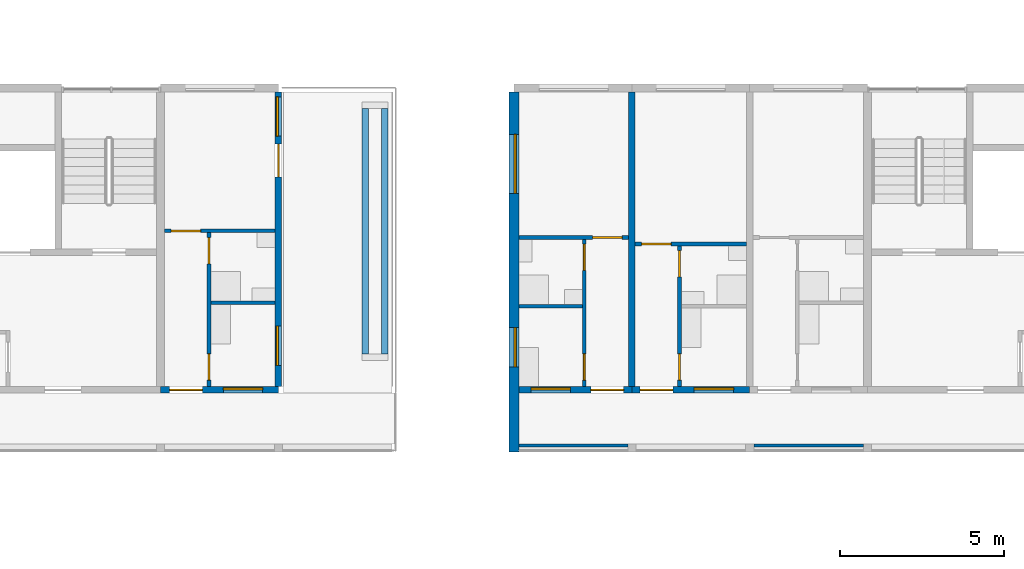
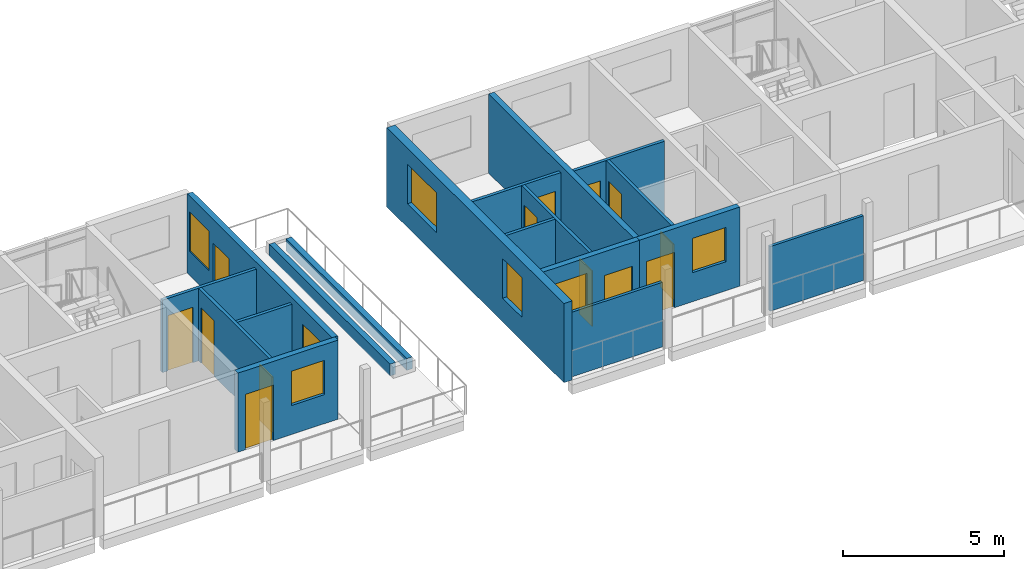
# One storey, part 36 of 94: 18 walls, 13 doors, 7 windows, 20 openings.
"""IFC4 building model written with IfcOpenShell, lengths in metres."""

from ifc_helpers import new_model, si_unit, direction, frame, frame_2d, origin, place, context, subcontext, project, spatial, rectangle, extrude, material, layer, layer_set, type_object, element, fill, save


model = new_model("IFC4")

# Units and contexts
model_context = context("Model", 3, precision=1e-05, world=origin(), true_north=direction((0.0, 1.0)))
body_context = subcontext(model_context, "Body", "Model", "MODEL_VIEW")
ifc_project = project(units=[si_unit("LENGTHUNIT", "METRE"), si_unit("AREAUNIT", "SQUARE_METRE"), si_unit("VOLUMEUNIT", "CUBIC_METRE"), si_unit("PLANEANGLEUNIT", "RADIAN"), si_unit("MASSUNIT", "GRAM", prefix="KILO")], contexts=[model_context])

# Site, building, storey
site_placement = place(None, origin())
site = spatial("IfcSite", under=ifc_project, at=site_placement, CompositionType="ELEMENT")
building_placement = place(site_placement, origin())
building = spatial("IfcBuilding", under=site, at=building_placement, Name="Ridgestep Commons", CompositionType="ELEMENT")
storey_placement = place(building_placement, frame((0.0, 0.0, 21.0)))
storey = spatial("IfcBuildingStorey", under=building, at=storey_placement, Name="L07", CompositionType="ELEMENT", Elevation=21.0)

# Wall
ifc_material_1 = material(Name="Precast concrete C40/50", Category="concrete")
ifc_layer_1 = layer(ifc_material_1, 0.199951171875)
ifc_layer_set_1 = layer_set([ifc_layer_1], Name="Cross wall 200")
wall_type_1 = type_object("IfcWallType", Name="Cross wall 200", PredefinedType="SHEAR", material=ifc_layer_set_1)
wall_1_placement = place(storey_placement, frame((66.0, 68.0, 0.0), z_axis=(0.0, 0.0, 1.0), x_axis=(0.0, 1.0, 0.0)))
element("IfcWall", 1, at=wall_1_placement, inside=storey, type_object=wall_type_1, Name="Cross wall B-07-0660", PredefinedType="SHEAR", context=body_context, shape_type="SweptSolid", body=[
    extrude(rectangle(XDim=9.0, YDim=0.199951171875, at=frame_2d((4.5, 0.0))), origin(), (0.0, 0.0, 1.0), 3.0),
])

# Wall, openings, windows, door
ifc_material_2 = material(Name="Precast concrete C40/50", Category="concrete")
ifc_layer_2 = layer(ifc_material_2, 0.199951171875)
ifc_layer_set_2 = layer_set([ifc_layer_2], Name="Exposed cross wall 200")
wall_type_2 = type_object("IfcWallType", Name="Exposed cross wall 200", PredefinedType="SHEAR", material=ifc_layer_set_2)
wall_2_placement = place(storey_placement, frame((55.199951171875, 68.0, 0.0), z_axis=(0.0, 0.0, 1.0), x_axis=(0.0, 1.0, 0.0)))
wall_2 = element("IfcWall", 2, at=wall_2_placement, inside=storey, type_object=wall_type_2, Name="Cross wall B-07-0552", PredefinedType="SHEAR", context=body_context, shape_type="SweptSolid", body=[
    extrude(rectangle(XDim=9.0, YDim=0.199951171875, at=frame_2d((4.5, 0.0))), origin(), (0.0, 0.0, 1.0), 3.0),
])
opening_1_placement = place(wall_2_placement, frame((0.64990234375, 0.0, 0.89990234375)))
opening_1 = element("IfcOpeningElement", 3, at=opening_1_placement, cuts=wall_2, Name="Opening W10", PredefinedType="OPENING", context=body_context, shape_type="SweptSolid", body=[
    extrude(rectangle(XDim=1.199951171875, YDim=1.5, at=frame_2d((0.60009765625, 0.75))), frame((0.0, 0.10986328125, 0.0), z_axis=(0.0, -1.0, 0.0), x_axis=(1.0, 0.0, 0.0)), (0.0, 0.0, 1.0), 0.219970703125),
])
opening_2_placement = place(wall_2_placement, frame((7.652587890625, 0.0, 0.89990234375)))
opening_2 = element("IfcOpeningElement", 4, at=opening_2_placement, cuts=wall_2, Name="Opening W10", PredefinedType="OPENING", context=body_context, shape_type="SweptSolid", body=[
    extrude(rectangle(XDim=1.199951171875, YDim=1.5, at=frame_2d((0.60009765625, 0.75))), frame((0.0, 0.10986328125, 0.0), z_axis=(0.0, -1.0, 0.0), x_axis=(1.0, 0.0, 0.0)), (0.0, 0.0, 1.0), 0.219970703125),
])
opening_3_placement = place(wall_2_placement, frame((6.405029296875, 0.0, 0.0)))
opening_3 = element("IfcOpeningElement", 5, at=opening_3_placement, cuts=wall_2, Name="Opening B3-07a/5", PredefinedType="OPENING", context=body_context, shape_type="SweptSolid", body=[
    extrude(rectangle(XDim=1.0, YDim=2.10009765625, at=frame_2d((0.5, 1.050048828125))), frame((0.0, 0.10986328125, 0.0), z_axis=(0.0, -1.0, 0.0), x_axis=(1.0, 0.0, 0.0)), (0.0, 0.0, 1.0), 0.219970703125),
])
ifc_material_3 = material(Name="Aluminium 6063-T6 and glass", Category="aluminium")
window_type_1 = type_object("IfcWindowType", Name="Flat window 1200 x 1500", PartitioningType="SINGLE_PANEL", PredefinedType="WINDOW", material=ifc_material_3)
window_1_placement = place(opening_1_placement, origin())
window_1 = element("IfcWindow", 6, at=window_1_placement, inside=storey, type_object=window_type_1, Name="Window B3-07a 3", OverallHeight=1.5, OverallWidth=1.199951171875, PartitioningType="SINGLE_PANEL", PredefinedType="WINDOW", context=body_context, shape_type="SweptSolid", body=[
    extrude(rectangle(XDim=1.199951171875, YDim=1.5, at=frame_2d((0.60009765625, 0.75))), frame((0.0, 0.06005859375, 0.0), z_axis=(0.0, -1.0, 0.0), x_axis=(1.0, 0.0, 0.0)), (0.0, 0.0, 1.0), 0.06005859375),
])
fill(opening_1, window_1)
window_2_placement = place(opening_2_placement, origin())
window_2 = element("IfcWindow", 7, at=window_2_placement, inside=storey, type_object=window_type_1, Name="Window B3-07a 4", OverallHeight=1.5, OverallWidth=1.199951171875, PartitioningType="SINGLE_PANEL", PredefinedType="WINDOW", context=body_context, shape_type="SweptSolid", body=[
    extrude(rectangle(XDim=1.199951171875, YDim=1.5, at=frame_2d((0.60009765625, 0.75))), frame((0.0, 0.06005859375, 0.0), z_axis=(0.0, -1.0, 0.0), x_axis=(1.0, 0.0, 0.0)), (0.0, 0.0, 1.0), 0.06005859375),
])
fill(opening_2, window_2)
ifc_material_4 = material(Name="Aluminium and glass", Category="aluminium")
door_type_1 = type_object("IfcDoorType", Name="Terrace door 1000 x 2100", OperationType="NOTDEFINED", PredefinedType="DOOR", material=ifc_material_4)
door_1_placement = place(opening_3_placement, origin())
door_1 = element("IfcDoor", 8, at=door_1_placement, inside=storey, type_object=door_type_1, Name="Terrace door B3-07a/5", OperationType="SINGLE_SWING_LEFT", OverallHeight=2.10009765625, OverallWidth=1.0, PredefinedType="DOOR", context=body_context, shape_type="SweptSolid", body=[
    extrude(rectangle(XDim=1.0, YDim=2.10009765625, at=frame_2d((0.5, 1.050048828125))), frame((0.0, 0.02490234375, 0.0), z_axis=(0.0, -1.0, 0.0), x_axis=(1.0, 0.0, 0.0)), (0.0, 0.0, 1.0), 0.050048828125),
])
fill(opening_3, door_1)

# Wall, openings, windows
ifc_material_5 = material(Name="Precast concrete C40/50", Category="concrete")
ifc_layer_3 = layer(ifc_material_5, 0.300048828125)
ifc_layer_set_3 = layer_set([ifc_layer_3], Name="Exposed division wall 300")
wall_type_3 = type_object("IfcWallType", Name="Exposed division wall 300", PredefinedType="SHEAR", material=ifc_layer_set_3)
wall_3_placement = place(storey_placement, frame((62.39990234375, 66.0, 0.0), z_axis=(0.0, 0.0, 1.0), x_axis=(0.0, 1.0, 0.0)))
wall_3 = element("IfcWall", 9, at=wall_3_placement, inside=storey, type_object=wall_type_3, Name="Cross wall B-07-0624", PredefinedType="SHEAR", context=body_context, shape_type="SweptSolid", body=[
    extrude(rectangle(XDim=11.0, YDim=0.300048828125, at=frame_2d((5.5, 0.0))), origin(), (0.0, 0.0, 1.0), 3.0),
])
opening_4_placement = place(wall_3_placement, frame((2.60009765625, 0.0, 0.89990234375)))
opening_4 = element("IfcOpeningElement", 10, at=opening_4_placement, cuts=wall_3, Name="Opening W10", PredefinedType="OPENING", context=body_context, shape_type="SweptSolid", body=[
    extrude(rectangle(XDim=1.199951171875, YDim=1.5, at=frame_2d((0.60009765625, 0.75))), frame((0.0, 0.159912109375, 0.0), z_axis=(0.0, -1.0, 0.0), x_axis=(1.0, 0.0, 0.0)), (0.0, 0.0, 1.0), 0.320068359375),
])
opening_5_placement = place(wall_3_placement, frame((7.905029296875, 0.0, 0.89990234375)))
opening_5 = element("IfcOpeningElement", 11, at=opening_5_placement, cuts=wall_3, Name="Opening W20", PredefinedType="OPENING", context=body_context, shape_type="SweptSolid", body=[
    extrude(rectangle(XDim=1.800048828125, YDim=1.5, at=frame_2d((0.89990234375, 0.75))), frame((0.0, 0.159912109375, 0.0), z_axis=(0.0, -1.0, 0.0), x_axis=(1.0, 0.0, 0.0)), (0.0, 0.0, 1.0), 0.320068359375),
])
window_3_placement = place(opening_4_placement, origin())
window_3 = element("IfcWindow", 12, at=window_3_placement, inside=storey, type_object=window_type_1, Name="Window B4-07a 3", OverallHeight=1.5, OverallWidth=1.199951171875, PartitioningType="SINGLE_PANEL", PredefinedType="WINDOW", context=body_context, shape_type="SweptSolid", body=[
    extrude(rectangle(XDim=1.199951171875, YDim=1.5, at=frame_2d((0.60009765625, 0.75))), frame((0.0, 0.0, 0.0), z_axis=(0.0, -1.0, 0.0), x_axis=(1.0, 0.0, 0.0)), (0.0, 0.0, 1.0), 0.06005859375),
])
fill(opening_4, window_3)
ifc_material_6 = material(Name="Aluminium 6063-T6 and glass", Category="aluminium")
window_type_2 = type_object("IfcWindowType", Name="Flat window 1800 x 1500", PartitioningType="DOUBLE_PANEL_VERTICAL", PredefinedType="WINDOW", material=ifc_material_6)
window_4_placement = place(opening_5_placement, origin())
window_4 = element("IfcWindow", 13, at=window_4_placement, inside=storey, type_object=window_type_2, Name="Window B4-07a 4", OverallHeight=1.5, OverallWidth=1.800048828125, PartitioningType="SINGLE_PANEL", PredefinedType="WINDOW", context=body_context, shape_type="SweptSolid", body=[
    extrude(rectangle(XDim=1.800048828125, YDim=1.5, at=frame_2d((0.89990234375, 0.75))), frame((0.0, 0.0, 0.0), z_axis=(0.0, -1.0, 0.0), x_axis=(1.0, 0.0, 0.0)), (0.0, 0.0, 1.0), 0.06005859375),
])
fill(opening_5, window_4)

# Wall, openings, doors
ifc_material_7 = material(Name="Common brick 110 mm", Category="masonry")
ifc_layer_4 = layer(ifc_material_7, 0.110107421875)
ifc_layer_set_4 = layer_set([ifc_layer_4], Name="Partition 110")
wall_type_4 = type_object("IfcWallType", Name="Partition 110", PredefinedType="PARTITIONING", material=ifc_layer_set_4)
wall_4_placement = place(storey_placement, frame((53.080078125, 68.0, 0.0), z_axis=(0.0, 0.0, 1.0), x_axis=(0.0, 1.0, 0.0)))
wall_4 = element("IfcWall", 14, at=wall_4_placement, inside=storey, type_object=wall_type_4, Name="Partition B3-07a", PredefinedType="PARTITIONING", context=body_context, shape_type="SweptSolid", body=[
    extrude(rectangle(XDim=4.699951171875, YDim=0.110107421875, at=frame_2d((2.35009765625, 0.0))), origin(), (0.0, 0.0, 1.0), 2.75),
])
opening_6_placement = place(wall_4_placement, frame((0.199951171875, 0.0, 0.0)))
opening_6 = element("IfcOpeningElement", 15, at=opening_6_placement, cuts=wall_4, Name="Opening B3-07a/2", PredefinedType="OPENING", context=body_context, shape_type="SweptSolid", body=[
    extrude(rectangle(XDim=0.800048828125, YDim=2.10009765625, at=frame_2d((0.39990234375, 1.050048828125))), frame((0.0, 0.06494140625, 0.0), z_axis=(0.0, -1.0, 0.0), x_axis=(1.0, 0.0, 0.0)), (0.0, 0.0, 1.0), 0.130126953125),
])
opening_7_placement = place(wall_4_placement, frame((3.75, 0.0, 0.0)))
opening_7 = element("IfcOpeningElement", 16, at=opening_7_placement, cuts=wall_4, Name="Opening B3-07a/3", PredefinedType="OPENING", context=body_context, shape_type="SweptSolid", body=[
    extrude(rectangle(XDim=0.800048828125, YDim=2.10009765625, at=frame_2d((0.39990234375, 1.050048828125))), frame((0.0, 0.06494140625, 0.0), z_axis=(0.0, -1.0, 0.0), x_axis=(1.0, 0.0, 0.0)), (0.0, 0.0, 1.0), 0.130126953125),
])
ifc_material_8 = material(Name="Timber door leaf", Category="wood")
door_type_2 = type_object("IfcDoorType", Name="Internal door 800 x 2100", OperationType="NOTDEFINED", PredefinedType="DOOR", material=ifc_material_8)
door_2_placement = place(opening_6_placement, origin())
door_2 = element("IfcDoor", 17, at=door_2_placement, inside=storey, type_object=door_type_2, Name="Internal door B3-07a/2", OperationType="SINGLE_SWING_RIGHT", OverallHeight=2.10009765625, OverallWidth=0.800048828125, PredefinedType="DOOR", context=body_context, shape_type="SweptSolid", body=[
    extrude(rectangle(XDim=0.800048828125, YDim=2.10009765625, at=frame_2d((0.39990234375, 1.050048828125))), frame((0.0, 0.02490234375, 0.0), z_axis=(0.0, -1.0, 0.0), x_axis=(1.0, 0.0, 0.0)), (0.0, 0.0, 1.0), 0.050048828125),
])
fill(opening_6, door_2)
door_3_placement = place(opening_7_placement, origin())
door_3 = element("IfcDoor", 18, at=door_3_placement, inside=storey, type_object=door_type_2, Name="Internal door B3-07a/3", OperationType="SINGLE_SWING_LEFT", OverallHeight=2.10009765625, OverallWidth=0.800048828125, PredefinedType="DOOR", context=body_context, shape_type="SweptSolid", body=[
    extrude(rectangle(XDim=0.800048828125, YDim=2.10009765625, at=frame_2d((0.39990234375, 1.050048828125))), frame((0.0, 0.02490234375, 0.0), z_axis=(0.0, -1.0, 0.0), x_axis=(1.0, 0.0, 0.0)), (0.0, 0.0, 1.0), 0.050048828125),
])
fill(opening_7, door_3)

# Wall
wall_5_placement = place(storey_placement, frame((53.135009765625, 70.554931640625, 0.0), z_axis=(0.0, 0.0, 1.0), x_axis=(1.0, 0.0, 0.0)))
element("IfcWall", 19, at=wall_5_placement, inside=storey, type_object=wall_type_4, Name="Partition B3-07a", PredefinedType="PARTITIONING", context=body_context, shape_type="SweptSolid", body=[
    extrude(rectangle(XDim=1.965087890625, YDim=0.110107421875, at=frame_2d((0.982421875, 0.0))), origin(), (0.0, 0.0, 1.0), 2.75),
])

# Wall, opening, door
wall_6_placement = place(storey_placement, frame((51.72509765625, 72.7548828125, 0.0), z_axis=(0.0, 0.0, 1.0), x_axis=(1.0, 0.0, 0.0)))
wall_6 = element("IfcWall", 20, at=wall_6_placement, inside=storey, type_object=wall_type_4, Name="Partition B3-07a", PredefinedType="PARTITIONING", context=body_context, shape_type="SweptSolid", body=[
    extrude(rectangle(XDim=3.375, YDim=0.110107421875, at=frame_2d((1.6875, 0.0))), origin(), (0.0, 0.0, 1.0), 2.75),
])
opening_8_placement = place(wall_6_placement, frame((0.199951171875, 0.0, 0.0)))
opening_8 = element("IfcOpeningElement", 21, at=opening_8_placement, cuts=wall_6, Name="Opening B3-07a/4", PredefinedType="OPENING", context=body_context, shape_type="SweptSolid", body=[
    extrude(rectangle(XDim=0.89990234375, YDim=2.10009765625, at=frame_2d((0.449951171875, 1.050048828125))), frame((0.0, 0.06494140625, 0.0), z_axis=(0.0, -1.0, 0.0), x_axis=(1.0, 0.0, 0.0)), (0.0, 0.0, 1.0), 0.130126953125),
])
ifc_material_9 = material(Name="Timber door leaf", Category="wood")
door_type_3 = type_object("IfcDoorType", Name="Internal door 900 x 2100", OperationType="NOTDEFINED", PredefinedType="DOOR", material=ifc_material_9)
door_4_placement = place(opening_8_placement, origin())
door_4 = element("IfcDoor", 22, at=door_4_placement, inside=storey, type_object=door_type_3, Name="Internal door B3-07a/4", OperationType="SINGLE_SWING_LEFT", OverallHeight=2.10009765625, OverallWidth=0.89990234375, PredefinedType="DOOR", context=body_context, shape_type="SweptSolid", body=[
    extrude(rectangle(XDim=0.89990234375, YDim=2.10009765625, at=frame_2d((0.449951171875, 1.050048828125))), frame((0.0, 0.02490234375, 0.0), z_axis=(0.0, -1.0, 0.0), x_axis=(1.0, 0.0, 0.0)), (0.0, 0.0, 1.0), 0.050048828125),
])
fill(opening_8, door_4)

# Wall
wall_7_placement = place(storey_placement, frame((62.550048828125, 70.455078125, 0.0), z_axis=(0.0, 0.0, 1.0), x_axis=(1.0, 0.0, 0.0)))
element("IfcWall", 23, at=wall_7_placement, inside=storey, type_object=wall_type_4, Name="Partition B4-07a", PredefinedType="PARTITIONING", context=body_context, shape_type="SweptSolid", body=[
    extrude(rectangle(XDim=1.93994140625, YDim=0.110107421875, at=frame_2d((0.969970703125, 0.0))), origin(), (0.0, 0.0, 1.0), 2.75),
])

# Wall, openings, doors
wall_8_placement = place(storey_placement, frame((64.544921875, 68.0, 0.0), z_axis=(0.0, 0.0, 1.0), x_axis=(0.0, 1.0, 0.0)))
wall_8 = element("IfcWall", 24, at=wall_8_placement, inside=storey, type_object=wall_type_4, Name="Partition B4-07a", PredefinedType="PARTITIONING", context=body_context, shape_type="SweptSolid", body=[
    extrude(rectangle(XDim=4.5, YDim=0.110107421875, at=frame_2d((2.25, 0.0))), origin(), (0.0, 0.0, 1.0), 2.75),
])
opening_9_placement = place(wall_8_placement, frame((0.199951171875, 0.0, 0.0)))
opening_9 = element("IfcOpeningElement", 25, at=opening_9_placement, cuts=wall_8, Name="Opening B4-07a/2", PredefinedType="OPENING", context=body_context, shape_type="SweptSolid", body=[
    extrude(rectangle(XDim=0.800048828125, YDim=2.10009765625, at=frame_2d((0.39990234375, 1.050048828125))), frame((0.0, 0.06494140625, 0.0), z_axis=(0.0, -1.0, 0.0), x_axis=(1.0, 0.0, 0.0)), (0.0, 0.0, 1.0), 0.130126953125),
])
opening_10_placement = place(wall_8_placement, frame((3.550048828125, 0.0, 0.0)))
opening_10 = element("IfcOpeningElement", 26, at=opening_10_placement, cuts=wall_8, Name="Opening B4-07a/3", PredefinedType="OPENING", context=body_context, shape_type="SweptSolid", body=[
    extrude(rectangle(XDim=0.800048828125, YDim=2.10009765625, at=frame_2d((0.39990234375, 1.050048828125))), frame((0.0, 0.06494140625, 0.0), z_axis=(0.0, -1.0, 0.0), x_axis=(1.0, 0.0, 0.0)), (0.0, 0.0, 1.0), 0.130126953125),
])
door_5_placement = place(opening_9_placement, origin())
door_5 = element("IfcDoor", 27, at=door_5_placement, inside=storey, type_object=door_type_2, Name="Internal door B4-07a/2", OperationType="SINGLE_SWING_LEFT", OverallHeight=2.10009765625, OverallWidth=0.800048828125, PredefinedType="DOOR", context=body_context, shape_type="SweptSolid", body=[
    extrude(rectangle(XDim=0.800048828125, YDim=2.10009765625, at=frame_2d((0.39990234375, 1.050048828125))), frame((0.0, 0.02490234375, 0.0), z_axis=(0.0, -1.0, 0.0), x_axis=(1.0, 0.0, 0.0)), (0.0, 0.0, 1.0), 0.050048828125),
])
fill(opening_9, door_5)
door_6_placement = place(opening_10_placement, origin())
door_6 = element("IfcDoor", 28, at=door_6_placement, inside=storey, type_object=door_type_2, Name="Internal door B4-07a/3", OperationType="SINGLE_SWING_RIGHT", OverallHeight=2.10009765625, OverallWidth=0.800048828125, PredefinedType="DOOR", context=body_context, shape_type="SweptSolid", body=[
    extrude(rectangle(XDim=0.800048828125, YDim=2.10009765625, at=frame_2d((0.39990234375, 1.050048828125))), frame((0.0, 0.02490234375, 0.0), z_axis=(0.0, -1.0, 0.0), x_axis=(1.0, 0.0, 0.0)), (0.0, 0.0, 1.0), 0.050048828125),
])
fill(opening_10, door_6)

# Wall, opening, door
wall_9_placement = place(storey_placement, frame((62.550048828125, 72.554931640625, 0.0), z_axis=(0.0, 0.0, 1.0), x_axis=(1.0, 0.0, 0.0)))
wall_9 = element("IfcWall", 29, at=wall_9_placement, inside=storey, type_object=wall_type_4, Name="Partition B4-07a", PredefinedType="PARTITIONING", context=body_context, shape_type="SweptSolid", body=[
    extrude(rectangle(XDim=3.349853515625, YDim=0.110107421875, at=frame_2d((1.6748046875, 0.0))), origin(), (0.0, 0.0, 1.0), 2.75),
])
opening_11_placement = place(wall_9_placement, frame((2.25, 0.0, 0.0)))
opening_11 = element("IfcOpeningElement", 30, at=opening_11_placement, cuts=wall_9, Name="Opening B4-07a/4", PredefinedType="OPENING", context=body_context, shape_type="SweptSolid", body=[
    extrude(rectangle(XDim=0.89990234375, YDim=2.10009765625, at=frame_2d((0.449951171875, 1.050048828125))), frame((0.0, 0.06494140625, 0.0), z_axis=(0.0, -1.0, 0.0), x_axis=(1.0, 0.0, 0.0)), (0.0, 0.0, 1.0), 0.130126953125),
])
door_7_placement = place(opening_11_placement, origin())
door_7 = element("IfcDoor", 31, at=door_7_placement, inside=storey, type_object=door_type_3, Name="Internal door B4-07a/4", OperationType="SINGLE_SWING_LEFT", OverallHeight=2.10009765625, OverallWidth=0.89990234375, PredefinedType="DOOR", context=body_context, shape_type="SweptSolid", body=[
    extrude(rectangle(XDim=0.89990234375, YDim=2.10009765625, at=frame_2d((0.449951171875, 1.050048828125))), frame((0.0, 0.02490234375, 0.0), z_axis=(0.0, -1.0, 0.0), x_axis=(1.0, 0.0, 0.0)), (0.0, 0.0, 1.0), 0.050048828125),
])
fill(opening_11, door_7)

# Wall, openings, doors
wall_10_placement = place(storey_placement, frame((67.455078125, 68.0, 0.0), z_axis=(0.0, 0.0, 1.0), x_axis=(0.0, 1.0, 0.0)))
wall_10 = element("IfcWall", 32, at=wall_10_placement, inside=storey, type_object=wall_type_4, Name="Partition B4-07b", PredefinedType="PARTITIONING", context=body_context, shape_type="SweptSolid", body=[
    extrude(rectangle(XDim=4.300048828125, YDim=0.110107421875, at=frame_2d((2.14990234375, 0.0))), origin(), (0.0, 0.0, 1.0), 2.800048828125),
])
opening_12_placement = place(wall_10_placement, frame((0.199951171875, 0.0, 0.0)))
opening_12 = element("IfcOpeningElement", 33, at=opening_12_placement, cuts=wall_10, Name="Opening B4-07b/2", PredefinedType="OPENING", context=body_context, shape_type="SweptSolid", body=[
    extrude(rectangle(XDim=0.800048828125, YDim=2.10009765625, at=frame_2d((0.39990234375, 1.050048828125))), frame((0.0, 0.06494140625, 0.0), z_axis=(0.0, -1.0, 0.0), x_axis=(1.0, 0.0, 0.0)), (0.0, 0.0, 1.0), 0.130126953125),
])
opening_13_placement = place(wall_10_placement, frame((3.35009765625, 0.0, 0.0)))
opening_13 = element("IfcOpeningElement", 34, at=opening_13_placement, cuts=wall_10, Name="Opening B4-07b/3", PredefinedType="OPENING", context=body_context, shape_type="SweptSolid", body=[
    extrude(rectangle(XDim=0.800048828125, YDim=2.10009765625, at=frame_2d((0.39990234375, 1.050048828125))), frame((0.0, 0.06494140625, 0.0), z_axis=(0.0, -1.0, 0.0), x_axis=(1.0, 0.0, 0.0)), (0.0, 0.0, 1.0), 0.130126953125),
])
door_8_placement = place(opening_12_placement, origin())
door_8 = element("IfcDoor", 35, at=door_8_placement, inside=storey, type_object=door_type_2, Name="Internal door B4-07b/2", OperationType="SINGLE_SWING_RIGHT", OverallHeight=2.10009765625, OverallWidth=0.800048828125, PredefinedType="DOOR", context=body_context, shape_type="SweptSolid", body=[
    extrude(rectangle(XDim=0.800048828125, YDim=2.10009765625, at=frame_2d((0.39990234375, 1.050048828125))), frame((0.0, 0.02490234375, 0.0), z_axis=(0.0, -1.0, 0.0), x_axis=(1.0, 0.0, 0.0)), (0.0, 0.0, 1.0), 0.050048828125),
])
fill(opening_12, door_8)
door_9_placement = place(opening_13_placement, origin())
door_9 = element("IfcDoor", 36, at=door_9_placement, inside=storey, type_object=door_type_2, Name="Internal door B4-07b/3", OperationType="SINGLE_SWING_LEFT", OverallHeight=2.10009765625, OverallWidth=0.800048828125, PredefinedType="DOOR", context=body_context, shape_type="SweptSolid", body=[
    extrude(rectangle(XDim=0.800048828125, YDim=2.10009765625, at=frame_2d((0.39990234375, 1.050048828125))), frame((0.0, 0.02490234375, 0.0), z_axis=(0.0, -1.0, 0.0), x_axis=(1.0, 0.0, 0.0)), (0.0, 0.0, 1.0), 0.050048828125),
])
fill(opening_13, door_9)

# Wall, opening, door
wall_11_placement = place(storey_placement, frame((66.10009765625, 72.35498046875, 0.0), z_axis=(0.0, 0.0, 1.0), x_axis=(1.0, 0.0, 0.0)))
wall_11 = element("IfcWall", 37, at=wall_11_placement, inside=storey, type_object=wall_type_4, Name="Partition B4-07b", PredefinedType="PARTITIONING", context=body_context, shape_type="SweptSolid", body=[
    extrude(rectangle(XDim=3.39990234375, YDim=0.110107421875, at=frame_2d((1.699951171875, 0.0))), origin(), (0.0, 0.0, 1.0), 2.800048828125),
])
opening_14_placement = place(wall_11_placement, frame((0.199951171875, 0.0, 0.0)))
opening_14 = element("IfcOpeningElement", 38, at=opening_14_placement, cuts=wall_11, Name="Opening B4-07b/4", PredefinedType="OPENING", context=body_context, shape_type="SweptSolid", body=[
    extrude(rectangle(XDim=0.89990234375, YDim=2.10009765625, at=frame_2d((0.449951171875, 1.050048828125))), frame((0.0, 0.06494140625, 0.0), z_axis=(0.0, -1.0, 0.0), x_axis=(1.0, 0.0, 0.0)), (0.0, 0.0, 1.0), 0.130126953125),
])
door_10_placement = place(opening_14_placement, origin())
door_10 = element("IfcDoor", 39, at=door_10_placement, inside=storey, type_object=door_type_3, Name="Internal door B4-07b/4", OperationType="SINGLE_SWING_RIGHT", OverallHeight=2.10009765625, OverallWidth=0.89990234375, PredefinedType="DOOR", context=body_context, shape_type="SweptSolid", body=[
    extrude(rectangle(XDim=0.89990234375, YDim=2.10009765625, at=frame_2d((0.449951171875, 1.050048828125))), frame((0.0, 0.02490234375, 0.0), z_axis=(0.0, -1.0, 0.0), x_axis=(1.0, 0.0, 0.0)), (0.0, 0.0, 1.0), 0.050048828125),
])
fill(opening_14, door_10)

# Walls
ifc_material_10 = material(Name="Precast concrete C30/37", Category="concrete")
ifc_layer_5 = layer(ifc_material_10, 0.10009765625)
ifc_layer_set_5 = layer_set([ifc_layer_5], Name="Perforated gallery screen 3325 x 2450 x 100")
wall_type_5 = type_object("IfcWallType", Name="Perforated gallery screen 3325 x 2450 x 100", PredefinedType="SOLIDWALL", material=ifc_layer_set_5)
wall_12_placement = place(storey_placement, frame((62.550048828125, 66.199951171875, 0.0), z_axis=(0.0, 0.0, 1.0), x_axis=(1.0, 0.0, 0.0)))
element("IfcWall", 40, at=wall_12_placement, inside=storey, type_object=wall_type_5, Name="Gallery screen B4T1 07", PredefinedType="SOLIDWALL", context=body_context, shape_type="SweptSolid", body=[
    extrude(rectangle(XDim=3.324951171875, YDim=0.10009765625, at=frame_2d((1.66259765625, 0.0))), origin(), (0.0, 0.0, 1.0), 2.449951171875),
])
ifc_material_11 = material(Name="Precast concrete C30/37", Category="concrete")
ifc_layer_6 = layer(ifc_material_11, 0.10009765625)
ifc_layer_set_6 = layer_set([ifc_layer_6], Name="Perforated gallery screen 3350 x 2450 x 100")
wall_type_6 = type_object("IfcWallType", Name="Perforated gallery screen 3350 x 2450 x 100", PredefinedType="SOLIDWALL", material=ifc_layer_set_6)
wall_13_placement = place(storey_placement, frame((69.72509765625, 66.199951171875, 0.0), z_axis=(0.0, 0.0, 1.0), x_axis=(1.0, 0.0, 0.0)))
element("IfcWall", 41, at=wall_13_placement, inside=storey, type_object=wall_type_6, Name="Gallery screen B4T3 07", PredefinedType="SOLIDWALL", context=body_context, shape_type="SweptSolid", body=[
    extrude(rectangle(XDim=3.349853515625, YDim=0.10009765625, at=frame_2d((1.6748046875, 0.0))), origin(), (0.0, 0.0, 1.0), 2.449951171875),
])
ifc_material_12 = material(Name="Facing brick", Category="masonry")
ifc_layer_7 = layer(ifc_material_12, 0.199951171875)
ifc_layer_set_7 = layer_set([ifc_layer_7], Name="Planter wall 200")
wall_type_7 = type_object("IfcWallType", Name="Planter wall 200", PredefinedType="SOLIDWALL", material=ifc_layer_set_7)
for number, where, z_axis, x_axis, name in (
    (42, (57.85009765625, 69.0, 0.010009765625), (0.0, 0.0, 1.0), (0.0, 1.0, 0.0), "Planter wall B3R2W"),
    (43, (58.449951171875, 69.0, 0.010009765625), (0.0, 0.0, 1.0), (0.0, 1.0, 0.0), "Planter wall B3R2E"),
):
    element("IfcWall", number, at=place(storey_placement, frame(where, z_axis=z_axis, x_axis=x_axis)), inside=storey, type_object=wall_type_7, Name=name, PredefinedType="SOLIDWALL", context=body_context, shape_type="SweptSolid", body=[
        extrude(rectangle(XDim=7.5, YDim=0.199951171875, at=frame_2d((3.75, 0.0))), origin(), (0.0, 0.0, 1.0), 0.449951171875),
    ])

# Wall, openings, door, window
ifc_material_13 = material(Name="Precast concrete C40/50", Category="concrete")
ifc_layer_8 = layer(ifc_material_13, 0.199951171875)
ifc_layer_set_8 = layer_set([ifc_layer_8], Name="South facade panel 200")
wall_type_8 = type_object("IfcWallType", Name="South facade panel 200", PredefinedType="SOLIDWALL", material=ifc_layer_set_8)
wall_14_placement = place(storey_placement, frame((51.60009765625, 67.89990234375, 0.0), z_axis=(0.0, 0.0, 1.0), x_axis=(1.0, 0.0, 0.0)))
wall_14 = element("IfcWall", 44, at=wall_14_placement, inside=storey, type_object=wall_type_8, Name="South panel B3T3 L07", PredefinedType="SOLIDWALL", context=body_context, shape_type="SweptSolid", body=[
    extrude(rectangle(XDim=3.599853515625, YDim=0.199951171875, at=frame_2d((1.7998046875, 0.0))), origin(), (0.0, 0.0, 1.0), 3.0),
])
opening_15_placement = place(wall_14_placement, frame((1.91748046875, 0.0, 1.10009765625)))
opening_15 = element("IfcOpeningElement", 45, at=opening_15_placement, cuts=wall_14, Name="Opening W08", PredefinedType="OPENING", context=body_context, shape_type="SweptSolid", body=[
    extrude(rectangle(XDim=1.199951171875, YDim=1.300048828125, at=frame_2d((0.60009765625, 0.64990234375))), frame((0.0, 0.10986328125, 0.0), z_axis=(0.0, -1.0, 0.0), x_axis=(1.0, 0.0, 0.0)), (0.0, 0.0, 1.0), 0.219970703125),
])
opening_16_placement = place(wall_14_placement, frame((0.27490234375, 0.0, 0.0)))
opening_16 = element("IfcOpeningElement", 46, at=opening_16_placement, cuts=wall_14, Name="Opening B3-07a/1", PredefinedType="OPENING", context=body_context, shape_type="SweptSolid", body=[
    extrude(rectangle(XDim=1.0, YDim=2.10009765625, at=frame_2d((0.5, 1.050048828125))), frame((0.0, 0.10986328125, 0.0), z_axis=(0.0, -1.0, 0.0), x_axis=(1.0, 0.0, 0.0)), (0.0, 0.0, 1.0), 0.219970703125),
])
ifc_material_14 = material(Name="Timber door leaf", Category="wood")
door_type_4 = type_object("IfcDoorType", Name="Flat entrance door 1000 x 2100 FD30S", OperationType="NOTDEFINED", PredefinedType="DOOR", material=ifc_material_14)
door_11_placement = place(opening_16_placement, origin())
door_11 = element("IfcDoor", 47, at=door_11_placement, inside=storey, type_object=door_type_4, Name="Flat entrance door B3-07a/1", OperationType="SINGLE_SWING_LEFT", OverallHeight=2.10009765625, OverallWidth=1.0, PredefinedType="DOOR", context=body_context, shape_type="SweptSolid", body=[
    extrude(rectangle(XDim=1.0, YDim=2.10009765625, at=frame_2d((0.5, 1.050048828125))), frame((0.0, 0.02490234375, 0.0), z_axis=(0.0, -1.0, 0.0), x_axis=(1.0, 0.0, 0.0)), (0.0, 0.0, 1.0), 0.050048828125),
])
fill(opening_16, door_11)
ifc_material_15 = material(Name="Aluminium 6063-T6 and glass", Category="aluminium")
window_type_3 = type_object("IfcWindowType", Name="Flat window 1200 x 1300", PartitioningType="SINGLE_PANEL", PredefinedType="WINDOW", material=ifc_material_15)
window_5_placement = place(opening_15_placement, origin())
window_5 = element("IfcWindow", 48, at=window_5_placement, inside=storey, type_object=window_type_3, Name="Window B3-07a 1", OverallHeight=1.300048828125, OverallWidth=1.199951171875, PartitioningType="SINGLE_PANEL", PredefinedType="WINDOW", context=body_context, shape_type="SweptSolid", body=[
    extrude(rectangle(XDim=1.199951171875, YDim=1.300048828125, at=frame_2d((0.60009765625, 0.64990234375))), frame((0.0, 0.06005859375, 0.0), z_axis=(0.0, -1.0, 0.0), x_axis=(1.0, 0.0, 0.0)), (0.0, 0.0, 1.0), 0.06005859375),
])
fill(opening_15, window_5)

wall_15_placement = place(storey_placement, frame((62.550048828125, 67.89990234375, 0.0), z_axis=(0.0, 0.0, 1.0), x_axis=(1.0, 0.0, 0.0)))
wall_15 = element("IfcWall", 49, at=wall_15_placement, inside=storey, type_object=wall_type_8, Name="South panel B4T1 L07", PredefinedType="SOLIDWALL", context=body_context, shape_type="SweptSolid", body=[
    extrude(rectangle(XDim=3.449951171875, YDim=0.199951171875, at=frame_2d((1.72509765625, 0.0))), origin(), (0.0, 0.0, 1.0), 3.0),
])
opening_17_placement = place(wall_15_placement, frame((0.3701171875, 0.0, 1.10009765625)))
opening_17 = element("IfcOpeningElement", 50, at=opening_17_placement, cuts=wall_15, Name="Opening W08", PredefinedType="OPENING", context=body_context, shape_type="SweptSolid", body=[
    extrude(rectangle(XDim=1.199951171875, YDim=1.300048828125, at=frame_2d((0.60009765625, 0.64990234375))), frame((0.0, 0.10986328125, 0.0), z_axis=(0.0, -1.0, 0.0), x_axis=(1.0, 0.0, 0.0)), (0.0, 0.0, 1.0), 0.219970703125),
])
opening_18_placement = place(wall_15_placement, frame((2.199951171875, 0.0, 0.0)))
opening_18 = element("IfcOpeningElement", 51, at=opening_18_placement, cuts=wall_15, Name="Opening B4-07a/1", PredefinedType="OPENING", context=body_context, shape_type="SweptSolid", body=[
    extrude(rectangle(XDim=1.0, YDim=2.10009765625, at=frame_2d((0.5, 1.050048828125))), frame((0.0, 0.10986328125, 0.0), z_axis=(0.0, -1.0, 0.0), x_axis=(1.0, 0.0, 0.0)), (0.0, 0.0, 1.0), 0.219970703125),
])
door_12_placement = place(opening_18_placement, origin())
door_12 = element("IfcDoor", 52, at=door_12_placement, inside=storey, type_object=door_type_4, Name="Flat entrance door B4-07a/1", OperationType="SINGLE_SWING_RIGHT", OverallHeight=2.10009765625, OverallWidth=1.0, PredefinedType="DOOR", context=body_context, shape_type="SweptSolid", body=[
    extrude(rectangle(XDim=1.0, YDim=2.10009765625, at=frame_2d((0.5, 1.050048828125))), frame((0.0, 0.02490234375, 0.0), z_axis=(0.0, -1.0, 0.0), x_axis=(1.0, 0.0, 0.0)), (0.0, 0.0, 1.0), 0.050048828125),
])
fill(opening_18, door_12)
window_6_placement = place(opening_17_placement, origin())
window_6 = element("IfcWindow", 53, at=window_6_placement, inside=storey, type_object=window_type_3, Name="Window B4-07a 1", OverallHeight=1.300048828125, OverallWidth=1.199951171875, PartitioningType="SINGLE_PANEL", PredefinedType="WINDOW", context=body_context, shape_type="SweptSolid", body=[
    extrude(rectangle(XDim=1.199951171875, YDim=1.300048828125, at=frame_2d((0.60009765625, 0.64990234375))), frame((0.0, 0.06005859375, 0.0), z_axis=(0.0, -1.0, 0.0), x_axis=(1.0, 0.0, 0.0)), (0.0, 0.0, 1.0), 0.06005859375),
])
fill(opening_17, window_6)

wall_16_placement = place(storey_placement, frame((66.0, 67.89990234375, 0.0), z_axis=(0.0, 0.0, 1.0), x_axis=(1.0, 0.0, 0.0)))
wall_16 = element("IfcWall", 54, at=wall_16_placement, inside=storey, type_object=wall_type_8, Name="South panel B4T2 L07", PredefinedType="SOLIDWALL", context=body_context, shape_type="SweptSolid", body=[
    extrude(rectangle(XDim=3.60009765625, YDim=0.199951171875, at=frame_2d((1.800048828125, 0.0))), origin(), (0.0, 0.0, 1.0), 3.0),
])
opening_19_placement = place(wall_16_placement, frame((1.905029296875, 0.0, 1.10009765625)))
opening_19 = element("IfcOpeningElement", 55, at=opening_19_placement, cuts=wall_16, Name="Opening W08", PredefinedType="OPENING", context=body_context, shape_type="SweptSolid", body=[
    extrude(rectangle(XDim=1.199951171875, YDim=1.300048828125, at=frame_2d((0.60009765625, 0.64990234375))), frame((0.0, 0.10986328125, 0.0), z_axis=(0.0, -1.0, 0.0), x_axis=(1.0, 0.0, 0.0)), (0.0, 0.0, 1.0), 0.219970703125),
])
opening_20_placement = place(wall_16_placement, frame((0.25, 0.0, 0.0)))
opening_20 = element("IfcOpeningElement", 56, at=opening_20_placement, cuts=wall_16, Name="Opening B4-07b/1", PredefinedType="OPENING", context=body_context, shape_type="SweptSolid", body=[
    extrude(rectangle(XDim=1.0, YDim=2.10009765625, at=frame_2d((0.5, 1.050048828125))), frame((0.0, 0.10986328125, 0.0), z_axis=(0.0, -1.0, 0.0), x_axis=(1.0, 0.0, 0.0)), (0.0, 0.0, 1.0), 0.219970703125),
])
door_13_placement = place(opening_20_placement, origin())
door_13 = element("IfcDoor", 57, at=door_13_placement, inside=storey, type_object=door_type_4, Name="Flat entrance door B4-07b/1", OperationType="SINGLE_SWING_LEFT", OverallHeight=2.10009765625, OverallWidth=1.0, PredefinedType="DOOR", context=body_context, shape_type="SweptSolid", body=[
    extrude(rectangle(XDim=1.0, YDim=2.10009765625, at=frame_2d((0.5, 1.050048828125))), frame((0.0, 0.02490234375, 0.0), z_axis=(0.0, -1.0, 0.0), x_axis=(1.0, 0.0, 0.0)), (0.0, 0.0, 1.0), 0.050048828125),
])
fill(opening_20, door_13)
window_7_placement = place(opening_19_placement, origin())
window_7 = element("IfcWindow", 58, at=window_7_placement, inside=storey, type_object=window_type_3, Name="Window B4-07b 1", OverallHeight=1.300048828125, OverallWidth=1.199951171875, PartitioningType="SINGLE_PANEL", PredefinedType="WINDOW", context=body_context, shape_type="SweptSolid", body=[
    extrude(rectangle(XDim=1.199951171875, YDim=1.300048828125, at=frame_2d((0.60009765625, 0.64990234375))), frame((0.0, 0.06005859375, 0.0), z_axis=(0.0, -1.0, 0.0), x_axis=(1.0, 0.0, 0.0)), (0.0, 0.0, 1.0), 0.06005859375),
])
fill(opening_19, window_7)

save(model, "model.ifc")
